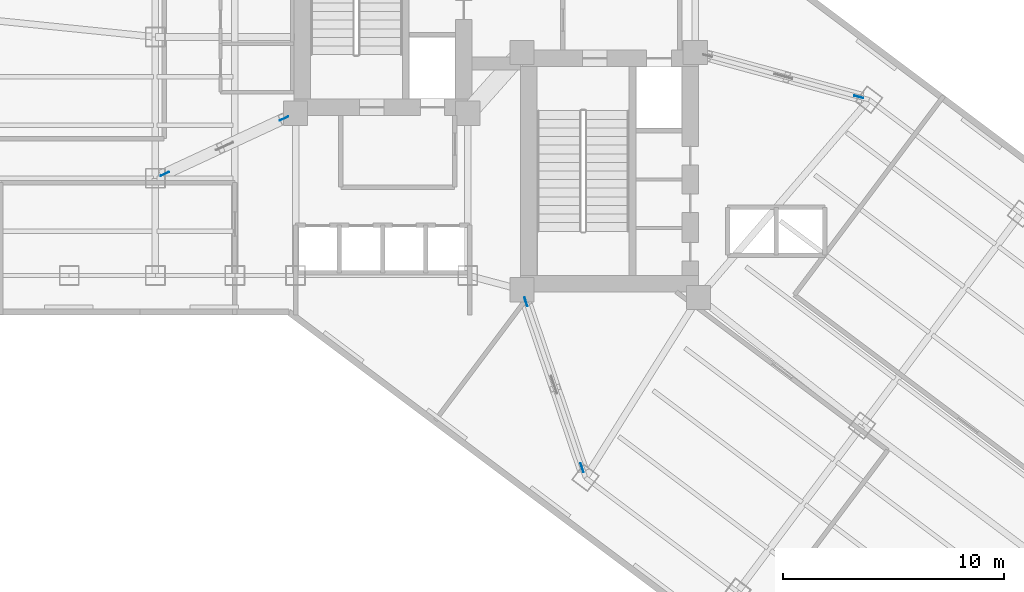
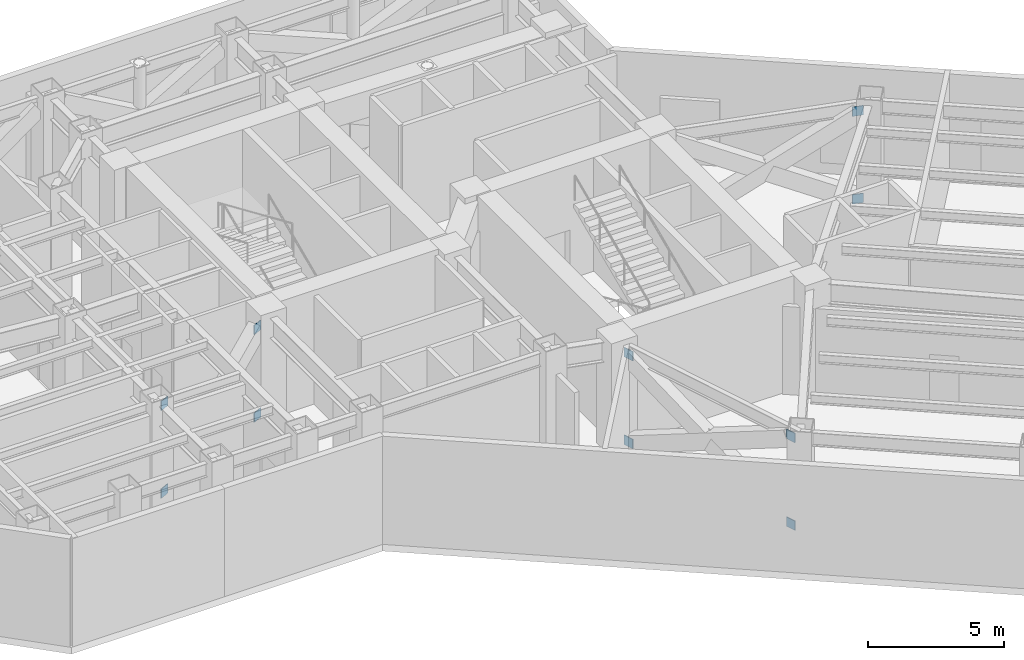
# One storey, part 6 of 14: 10 plates.
"""IFC4 building model written with IfcOpenShell, lengths in metres."""

from ifc_helpers import new_model, si_unit, direction, frame, origin, origin_2d, place, context, subcontext, project, spatial, rectangle, extrude, material, layer, layer_set, type_object, element, save


model = new_model("IFC4")

# Units and contexts
model_context = context("Model", 3, precision=1e-05, world=origin(), true_north=direction((0.0, 1.0)))
body_context = subcontext(model_context, "Body", "Model", "MODEL_VIEW")
ifc_project = project(units=[si_unit("LENGTHUNIT", "METRE"), si_unit("AREAUNIT", "SQUARE_METRE"), si_unit("VOLUMEUNIT", "CUBIC_METRE"), si_unit("PLANEANGLEUNIT", "RADIAN"), si_unit("MASSUNIT", "GRAM", prefix="KILO")], contexts=[model_context])

# Site, building, storey
site_placement = place(None, origin())
site = spatial("IfcSite", under=ifc_project, at=site_placement, CompositionType="ELEMENT")
building_placement = place(site_placement, origin())
building = spatial("IfcBuilding", under=site, at=building_placement, Name="Hatsunagi Terrace Concourse", CompositionType="ELEMENT")
storey_placement = place(building_placement, frame((0.0, 0.0, 91.35009765625)))
storey = spatial("IfcBuildingStorey", under=building, at=storey_placement, Name="L24", CompositionType="ELEMENT", Elevation=91.35009765625)

# Plates
ifc_material = material(Name="Steel SN490C", Category="steel")
ifc_layer = layer(ifc_material, 0.031982421875)
ifc_layer_set = layer_set([ifc_layer], Name="XBraceNodeCapPlate_32")
plate_type = type_object("IfcPlateType", Name="XBraceNodeCapPlate_32", PredefinedType="USERDEFINED", material=ifc_layer_set)
for number, where, z_axis, x_axis, name in (
    (1, (25.02587890625, 32.305908203125, 0.25), (0.0, 0.0, 1.0), (-0.906911697231, -0.421320748867, 0.0), "Cast-In Core and Node Embed Plate GP-02 EP-OUT-L24-1-AB"),
    (2, (25.02587890625, 32.305908203125, 4.179931640625), (0.0, 0.0, 1.0), (-0.906911697231, -0.421320748867, 0.0), "Cast-In Core and Node Embed Plate GP-02 EP-OUT-L24-1-AT"),
    (3, (19.634033203125, 29.801025390625, 0.25), (0.0, 0.0, 1.0), (-0.906911697231, -0.421320748867, 0.0), "Cast-In Core and Node Embed Plate GP-02 EP-OUT-L24-1-BB"),
    (4, (19.634033203125, 29.801025390625, 4.179931640625), (0.0, 0.0, 1.0), (-0.906911697231, -0.421320748867, 0.0), "Cast-In Core and Node Embed Plate GP-02 EP-OUT-L24-1-BT"),
    (5, (35.985107421875, 24.0029296875, 0.25), (0.0, 0.0, 1.0), (0.320565047555, -0.947226504214, 0.0), "Cast-In Core and Node Embed Plate GP-02 EP-OUT-L24-5-AB"),
    (6, (35.985107421875, 24.0029296875, 4.179931640625), (0.0, 0.0, 1.0), (0.320565047555, -0.947226504214, 0.0), "Cast-In Core and Node Embed Plate GP-02 EP-OUT-L24-5-AT"),
    (7, (38.527099609375, 16.492919921875, 0.25), (0.0, 0.0, 1.0), (0.320565047555, -0.947226504214, 0.0), "Cast-In Core and Node Embed Plate GP-02 EP-OUT-L24-5-BB"),
    (8, (38.527099609375, 16.492919921875, 4.179931640625), (0.0, 0.0, 1.0), (0.320565047555, -0.947226504214, 0.0), "Cast-In Core and Node Embed Plate GP-02 EP-OUT-L24-5-BT"),
    (9, (51.05908203125, 33.284912109375, 0.25), (0.0, 0.0, 1.0), (0.964961560534, -0.262391285471, 0.0), "Cast-In Core and Node Embed Plate GP-02 EP-OUT-L24-6-BB"),
    (10, (51.05908203125, 33.284912109375, 4.179931640625), (0.0, 0.0, 1.0), (0.964961560534, -0.262391285471, 0.0), "Cast-In Core and Node Embed Plate GP-02 EP-OUT-L24-6-BT"),
):
    element("IfcPlate", number, at=place(storey_placement, frame(where, z_axis=z_axis, x_axis=x_axis)), inside=storey, type_object=plate_type, Name=name, ObjectType="GUSSET_PLATE", PredefinedType="USERDEFINED", context=body_context, shape_type="SweptSolid", body=[
        extrude(rectangle(XDim=0.419921875, YDim=0.031982421875, at=origin_2d()), origin(), (0.0, 0.0, 1.0), 0.419921875),
    ])

save(model, "model.ifc")
